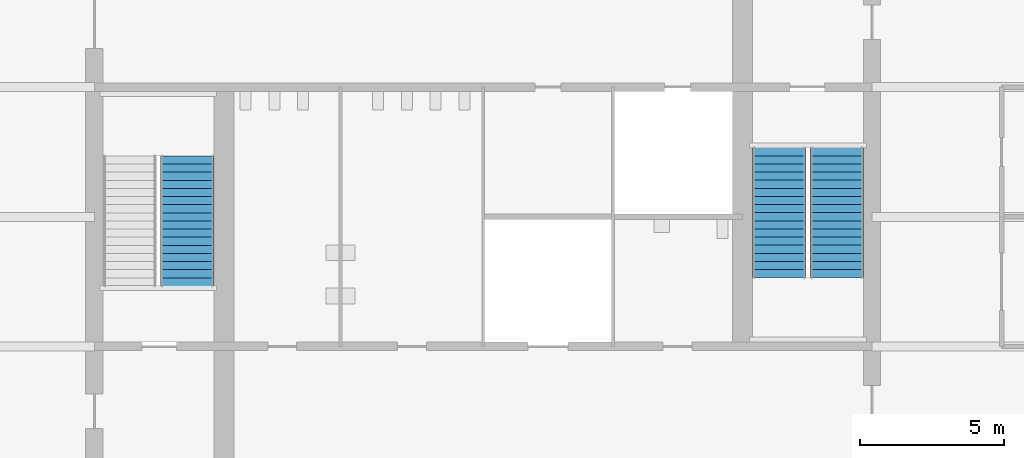
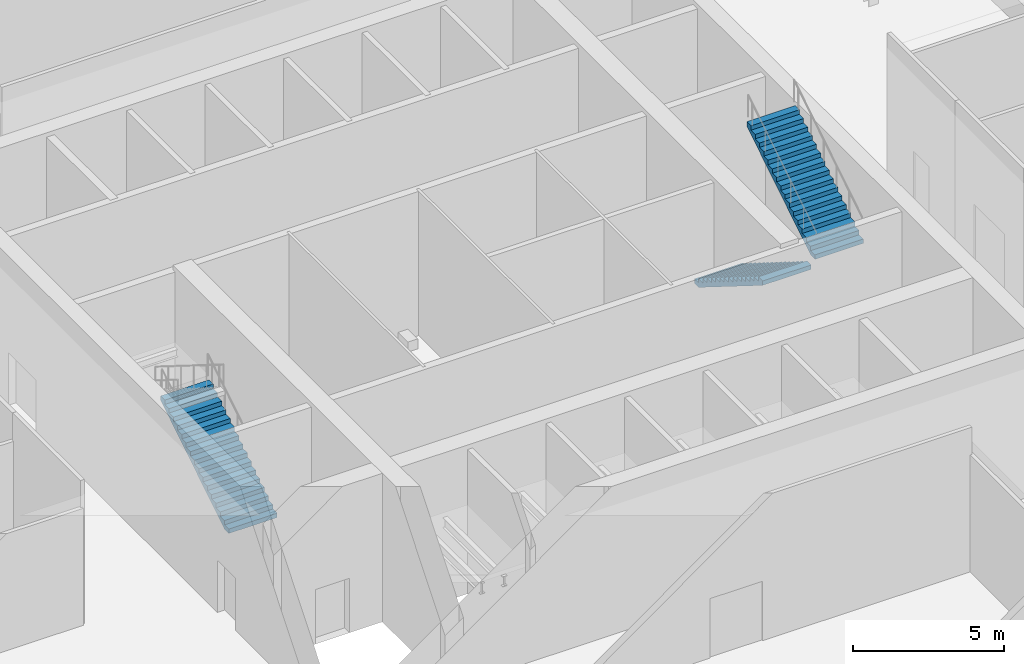
# One storey, part 9 of 11: 3 stair flights, 2 elements without a shape of their own.
"""IFC4 building model written with IfcOpenShell, lengths in metres."""

from ifc_helpers import new_model, si_unit, direction, frame, origin, place, context, subcontext, project, spatial, polyline, outline, extrude, material, type_object, element, aggregate, save


model = new_model("IFC4")

# Units and contexts
model_context = context("Model", 3, precision=1e-05, world=origin(), true_north=direction((0.0, 1.0)))
body_context = subcontext(model_context, "Body", "Model", "MODEL_VIEW")
ifc_project = project(units=[si_unit("LENGTHUNIT", "METRE"), si_unit("AREAUNIT", "SQUARE_METRE"), si_unit("VOLUMEUNIT", "CUBIC_METRE"), si_unit("PLANEANGLEUNIT", "RADIAN"), si_unit("MASSUNIT", "GRAM", prefix="KILO")], contexts=[model_context])

# Site, building, storey
site_placement = place(None, origin())
site = spatial("IfcSite", under=ifc_project, at=site_placement, CompositionType="ELEMENT")
building_placement = place(site_placement, origin())
building = spatial("IfcBuilding", under=site, at=building_placement, Name="Corais Broadcast Tower", CompositionType="ELEMENT")
storey_placement = place(building_placement, frame((0.0, 0.0, 104.60009765625)))
storey = spatial("IfcBuildingStorey", under=building, at=storey_placement, Name="L23", CompositionType="ELEMENT", Elevation=104.60009765625)

# Stair, stair flight
ifc_material_1 = material(Name="Concrete C30/37", Category="concrete")
stair_type = type_object("IfcStairType", Name="Half-turn stair 6000", PredefinedType="HALF_TURN_STAIR", material=ifc_material_1)
stair_1_placement = place(storey_placement, origin())
stair_1 = element("IfcStair", 1, at=stair_1_placement, inside=storey, type_object=stair_type, Name="Stair A L23", PredefinedType="HALF_TURN_STAIR")
ifc_material_2 = material(Name="Concrete C30/37", Category="concrete")
stair_flight_type = type_object("IfcStairFlightType", Name="Stair flight 6000", PredefinedType="STRAIGHT", material=ifc_material_2)
stair_flight_1_placement = place(storey_placement, frame((16.72509765625, 24.60009765625, 0.0), z_axis=(0.0, 0.0, 1.0), x_axis=(0.0, 1.0, 0.0)))
stair_flight_1 = element("IfcStairFlight", 2, at=stair_flight_1_placement, type_object=stair_flight_type, Name="STA flight 1", NumberOfRisers=17, NumberOfTreads=16, PredefinedType="STRAIGHT", RiserHeight=0.176470588, TreadLength=0.282, context=body_context, shape_type="SweptSolid", body=[
    extrude(outline(polyline([(0.0, 0.0), (0.0, 0.176513671875), (0.281982421875, 0.176513671875), (0.281982421875, 0.35302734375), (0.56396484375, 0.35302734375), (0.56396484375, 0.529296875), (0.845947265625, 0.529296875), (0.845947265625, 0.705810546875), (1.1279296875, 0.705810546875), (1.1279296875, 0.88232421875), (1.409912109375, 0.88232421875), (1.409912109375, 1.058837890625), (1.69189453125, 1.058837890625), (1.69189453125, 1.2353515625), (1.97412109375, 1.2353515625), (1.97412109375, 1.411865234375), (2.256103515625, 1.411865234375), (2.256103515625, 1.588134765625), (2.5380859375, 1.588134765625), (2.5380859375, 1.7646484375), (2.820068359375, 1.7646484375), (2.820068359375, 1.941162109375), (3.10205078125, 1.941162109375), (3.10205078125, 2.11767578125), (3.384033203125, 2.11767578125), (3.384033203125, 2.294189453125), (3.666015625, 2.294189453125), (3.666015625, 2.470703125), (3.947998046875, 2.470703125), (3.947998046875, 2.64697265625), (4.22998046875, 2.64697265625), (4.22998046875, 2.823486328125), (4.511962890625, 2.823486328125), (4.511962890625, 3.0), (4.511962890625, 2.646728515625), (0.282470703125, 0.0), (0.0, 0.0)])), frame((0.0, 0.925048828125, 0.0), z_axis=(0.0, -1.0, 0.0), x_axis=(1.0, 0.0, 0.0)), (0.0, 0.0, 1.0), 1.85009765625),
])
aggregate(stair_1, [stair_flight_1])

# Stair, stair flights
stair_2_placement = place(storey_placement, origin())
stair_2 = element("IfcStair", 3, at=stair_2_placement, inside=storey, type_object=stair_type, Name="Stair B L23", PredefinedType="HALF_TURN_STAIR")
stair_flight_2_placement = place(storey_placement, frame((37.27490234375, 29.39990234375, 0.0), z_axis=(0.0, 0.0, 1.0), x_axis=(0.0, -1.0, 0.0)))
stair_flight_2 = element("IfcStairFlight", 4, at=stair_flight_2_placement, type_object=stair_flight_type, Name="STB flight 1", NumberOfRisers=17, NumberOfTreads=16, PredefinedType="STRAIGHT", RiserHeight=0.176470588, TreadLength=0.282, context=body_context, shape_type="SweptSolid", body=[
    extrude(outline(polyline([(0.0, 0.0), (0.0, 0.176513671875), (0.281982421875, 0.176513671875), (0.281982421875, 0.35302734375), (0.56396484375, 0.35302734375), (0.56396484375, 0.529296875), (0.845947265625, 0.529296875), (0.845947265625, 0.705810546875), (1.1279296875, 0.705810546875), (1.1279296875, 0.88232421875), (1.409912109375, 0.88232421875), (1.409912109375, 1.058837890625), (1.69189453125, 1.058837890625), (1.69189453125, 1.2353515625), (1.97412109375, 1.2353515625), (1.97412109375, 1.411865234375), (2.256103515625, 1.411865234375), (2.256103515625, 1.588134765625), (2.5380859375, 1.588134765625), (2.5380859375, 1.7646484375), (2.820068359375, 1.7646484375), (2.820068359375, 1.941162109375), (3.10205078125, 1.941162109375), (3.10205078125, 2.11767578125), (3.384033203125, 2.11767578125), (3.384033203125, 2.294189453125), (3.666015625, 2.294189453125), (3.666015625, 2.470703125), (3.947998046875, 2.470703125), (3.947998046875, 2.64697265625), (4.22998046875, 2.64697265625), (4.22998046875, 2.823486328125), (4.511962890625, 2.823486328125), (4.511962890625, 3.0), (4.511962890625, 2.646728515625), (0.282470703125, 0.0), (0.0, 0.0)])), frame((0.0, 0.925048828125, 0.0), z_axis=(0.0, -1.0, 0.0), x_axis=(1.0, 0.0, 0.0)), (0.0, 0.0, 1.0), 1.85009765625),
])
stair_flight_3_placement = place(storey_placement, frame((39.27490234375, 24.887939453125, 3.0), z_axis=(0.0, 0.0, 1.0), x_axis=(0.0, 1.0, 0.0)))
stair_flight_3 = element("IfcStairFlight", 5, at=stair_flight_3_placement, type_object=stair_flight_type, Name="STB flight 2", NumberOfRisers=17, NumberOfTreads=16, PredefinedType="STRAIGHT", RiserHeight=0.176470588, TreadLength=0.282, context=body_context, shape_type="SweptSolid", body=[
    extrude(outline(polyline([(0.0, 0.0), (0.0, 0.176513671875), (0.281982421875, 0.176513671875), (0.281982421875, 0.35302734375), (0.56396484375, 0.35302734375), (0.56396484375, 0.529296875), (0.845947265625, 0.529296875), (0.845947265625, 0.705810546875), (1.1279296875, 0.705810546875), (1.1279296875, 0.88232421875), (1.409912109375, 0.88232421875), (1.409912109375, 1.058837890625), (1.69189453125, 1.058837890625), (1.69189453125, 1.2353515625), (1.97412109375, 1.2353515625), (1.97412109375, 1.411865234375), (2.256103515625, 1.411865234375), (2.256103515625, 1.588134765625), (2.5380859375, 1.588134765625), (2.5380859375, 1.7646484375), (2.820068359375, 1.7646484375), (2.820068359375, 1.941162109375), (3.10205078125, 1.941162109375), (3.10205078125, 2.11767578125), (3.384033203125, 2.11767578125), (3.384033203125, 2.294189453125), (3.666015625, 2.294189453125), (3.666015625, 2.470703125), (3.947998046875, 2.470703125), (3.947998046875, 2.64697265625), (4.22998046875, 2.64697265625), (4.22998046875, 2.823486328125), (4.511962890625, 2.823486328125), (4.511962890625, 3.0), (4.511962890625, 2.646728515625), (0.282470703125, 0.0), (0.0, 0.0)])), frame((0.0, 0.925048828125, 0.0), z_axis=(0.0, -1.0, 0.0), x_axis=(1.0, 0.0, 0.0)), (0.0, 0.0, 1.0), 1.85009765625),
])
aggregate(stair_2, [stair_flight_2, stair_flight_3])

save(model, "model.ifc")
